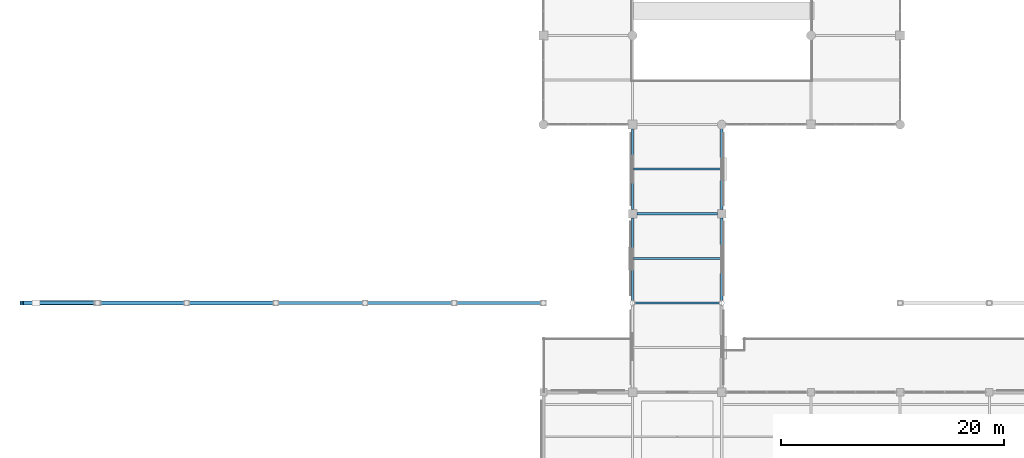
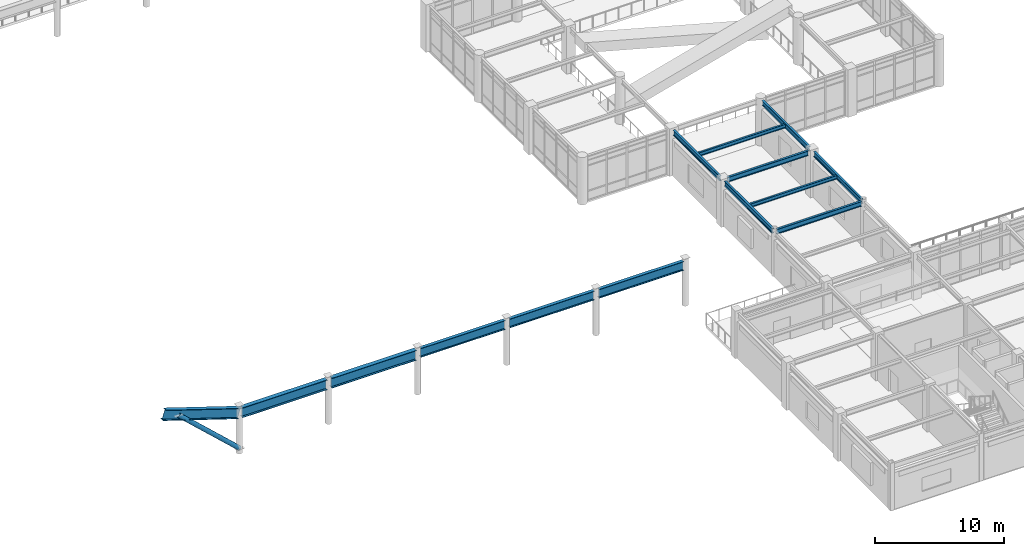
# One storey, part 17 of 78: 14 beams, 1 member.
"""IFC4 building model written with IfcOpenShell, lengths in metres."""

from ifc_helpers import new_model, si_unit, direction, frame, origin, origin_2d, place, context, subcontext, project, spatial, hollow_circle, i_section, extrude, material, material_profile, profile_set, type_object, element, save


model = new_model("IFC4")

# Units and contexts
model_context = context("Model", 3, precision=1e-05, world=origin(), true_north=direction((0.0, 1.0)))
body_context = subcontext(model_context, "Body", "Model", "MODEL_VIEW")
ifc_project = project(units=[si_unit("LENGTHUNIT", "METRE"), si_unit("AREAUNIT", "SQUARE_METRE"), si_unit("VOLUMEUNIT", "CUBIC_METRE"), si_unit("PLANEANGLEUNIT", "RADIAN"), si_unit("MASSUNIT", "GRAM", prefix="KILO")], contexts=[model_context])

# Site, building, storey
site_placement = place(None, origin())
site = spatial("IfcSite", under=ifc_project, at=site_placement, CompositionType="ELEMENT")
building_placement = place(site_placement, origin())
building = spatial("IfcBuilding", under=site, at=building_placement, Name="Solmirada Galleria", CompositionType="ELEMENT")
storey_placement = place(building_placement, frame((0.0, 0.0, 23.89990234375)))
storey = spatial("IfcBuildingStorey", under=building, at=storey_placement, Name="L05", CompositionType="ELEMENT", Elevation=23.89990234375)

# Beams
ifc_material_1 = material(Name="Steel S355 / ASTM A572 Grade 50", Category="steel")
ifc_material_profile_1 = material_profile(ifc_material_1, i_section(OverallWidth=0.3798828125, OverallDepth=0.949951171875, WebThickness=0.02001953125, FlangeThickness=0.035888671875, FilletRadius=0.01611328125, at=origin_2d()), Name="PG950X380")
ifc_profile_set_1 = profile_set([ifc_material_profile_1], Name="Steel S355 / ASTM A572 Grade 50")
beam_type_1 = type_object("IfcBeamType", Name="BM-CAN-SPINE", PredefinedType="BEAM", material=ifc_profile_set_1)
beam_1_placement = place(storey_placement, frame((33.199951171875, 32.0, 5.965087890625), z_axis=(0.951447166757, 0.0, -0.307812099941), x_axis=(0.0, 1.0, 0.0)))
element("IfcBeam", 1, at=beam_1_placement, inside=storey, type_object=beam_type_1, Name="Forecourt canopy cantilevered edge girder S", PredefinedType="BEAM", context=body_context, shape_type="SweptSolid", body=[
    extrude(i_section(OverallWidth=0.3798828125, OverallDepth=0.949951171875, WebThickness=0.02001953125, FlangeThickness=0.035888671875, FilletRadius=0.01611328125, at=origin_2d()), origin(), (0.0, 0.0, 1.0), 7.14697265625),
])
for number, where, z_axis, x_axis, name in (
    (2, (40.21337890625, 32.0, 3.76513671875), (1.0, 0.0, 0.0), (0.0, 1.0, 0.0), "Forecourt canopy back-span girder S X=40..48"),
    (3, (48.21337890625, 32.0, 3.76513671875), (1.0, 0.0, 0.0), (0.0, 1.0, 0.0), "Forecourt canopy back-span girder S X=48..56"),
):
    element("IfcBeam", number, at=place(storey_placement, frame(where, z_axis=z_axis, x_axis=x_axis)), inside=storey, type_object=beam_type_1, Name=name, PredefinedType="BEAM", context=body_context, shape_type="SweptSolid", body=[
        extrude(i_section(OverallWidth=0.3798828125, OverallDepth=0.949951171875, WebThickness=0.02001953125, FlangeThickness=0.035888671875, FilletRadius=0.01611328125, at=origin_2d()), origin(), (0.0, 0.0, 1.0), 7.5732421875),
    ])
ifc_material_2 = material(Name="Steel S355 / ASTM A992 Grade 50", Category="steel")
ifc_material_profile_2 = material_profile(ifc_material_2, i_section(OverallWidth=0.194091796875, OverallDepth=0.468994140625, WebThickness=0.0126953125, FlangeThickness=0.0205078125, FilletRadius=0.013916015625, at=origin_2d()), Name="W18X71")
ifc_profile_set_2 = profile_set([ifc_material_profile_2], Name="Steel S355 / ASTM A992 Grade 50")
beam_type_2 = type_object("IfcBeamType", Name="BM-GIRD-W18B", PredefinedType="BEAM", material=ifc_profile_set_2)
beam_2_placement = place(storey_placement, frame((88.19189453125, 32.0, 4.065673828125), z_axis=(1.0, 0.0, 0.0), x_axis=(0.0, 1.0, 0.0)))
element("IfcBeam", 4, at=beam_2_placement, inside=storey, type_object=beam_type_2, Name="Primary beam L06 X(88..96, 32)", PredefinedType="BEAM", context=body_context, shape_type="SweptSolid", body=[
    extrude(i_section(OverallWidth=0.194091796875, OverallDepth=0.468994140625, WebThickness=0.0126953125, FlangeThickness=0.0205078125, FilletRadius=0.013916015625, at=origin_2d()), origin(), (0.0, 0.0, 1.0), 7.6162109375),
])
ifc_material_profile_3 = material_profile(ifc_material_2, i_section(OverallWidth=0.193115234375, OverallDepth=0.466064453125, WebThickness=0.011474609375, FlangeThickness=0.01904296875, FilletRadius=0.013916015625, at=origin_2d()), Name="W18X65")
ifc_profile_set_3 = profile_set([ifc_material_profile_3], Name="Steel S355 / ASTM A992 Grade 50")
beam_type_3 = type_object("IfcBeamType", Name="BM-GIRD-W18C", PredefinedType="BEAM", material=ifc_profile_set_3)
beam_3_placement = place(storey_placement, frame((88.375, 40.0, 4.067138671875), z_axis=(1.0, 0.0, 0.0), x_axis=(0.0, 1.0, 0.0)))
element("IfcBeam", 5, at=beam_3_placement, inside=storey, type_object=beam_type_3, Name="Primary beam L06 X(88..96, 40)", PredefinedType="BEAM", context=body_context, shape_type="SweptSolid", body=[
    extrude(i_section(OverallWidth=0.193115234375, OverallDepth=0.466064453125, WebThickness=0.011474609375, FlangeThickness=0.01904296875, FilletRadius=0.013916015625, at=origin_2d()), origin(), (0.0, 0.0, 1.0), 7.25),
])
beam_4_placement = place(storey_placement, frame((88.0, 32.19189453125, 4.067138671875), z_axis=(0.0, 1.0, 0.0), x_axis=(-1.0, 0.0, 0.0)))
element("IfcBeam", 6, at=beam_4_placement, inside=storey, type_object=beam_type_3, Name="Primary girder L06 Y(88, 32..40)", PredefinedType="BEAM", context=body_context, shape_type="SweptSolid", body=[
    extrude(i_section(OverallWidth=0.193115234375, OverallDepth=0.466064453125, WebThickness=0.011474609375, FlangeThickness=0.01904296875, FilletRadius=0.013916015625, at=origin_2d()), origin(), (0.0, 0.0, 1.0), 7.43310546875),
])
beam_5_placement = place(storey_placement, frame((88.0, 40.375, 4.067138671875), z_axis=(0.0, 1.0, 0.0), x_axis=(-1.0, 0.0, 0.0)))
element("IfcBeam", 7, at=beam_5_placement, inside=storey, type_object=beam_type_3, Name="Primary girder L06 Y(88, 40..48)", PredefinedType="BEAM", context=body_context, shape_type="SweptSolid", body=[
    extrude(i_section(OverallWidth=0.193115234375, OverallDepth=0.466064453125, WebThickness=0.011474609375, FlangeThickness=0.01904296875, FilletRadius=0.013916015625, at=origin_2d()), origin(), (0.0, 0.0, 1.0), 7.22509765625),
])
beam_6_placement = place(storey_placement, frame((96.0, 32.19189453125, 4.067138671875), z_axis=(0.0, 1.0, 0.0), x_axis=(-1.0, 0.0, 0.0)))
element("IfcBeam", 8, at=beam_6_placement, inside=storey, type_object=beam_type_3, Name="Primary girder L06 Y(96, 32..40)", PredefinedType="BEAM", context=body_context, shape_type="SweptSolid", body=[
    extrude(i_section(OverallWidth=0.193115234375, OverallDepth=0.466064453125, WebThickness=0.011474609375, FlangeThickness=0.01904296875, FilletRadius=0.013916015625, at=origin_2d()), origin(), (0.0, 0.0, 1.0), 7.43310546875),
])
beam_7_placement = place(storey_placement, frame((96.0, 40.375, 4.067138671875), z_axis=(0.0, 1.0, 0.0), x_axis=(-1.0, 0.0, 0.0)))
element("IfcBeam", 9, at=beam_7_placement, inside=storey, type_object=beam_type_3, Name="Primary girder L06 Y(96, 40..48)", PredefinedType="BEAM", context=body_context, shape_type="SweptSolid", body=[
    extrude(i_section(OverallWidth=0.193115234375, OverallDepth=0.466064453125, WebThickness=0.011474609375, FlangeThickness=0.01904296875, FilletRadius=0.013916015625, at=origin_2d()), origin(), (0.0, 0.0, 1.0), 7.2890625),
])
ifc_material_profile_4 = material_profile(ifc_material_2, i_section(OverallWidth=0.1708984375, OverallDepth=0.35205078125, WebThickness=0.0068359375, FlangeThickness=0.009765625, FilletRadius=0.010986328125, at=origin_2d()), Name="W14X30")
ifc_profile_set_4 = profile_set([ifc_material_profile_4], Name="Steel S355 / ASTM A992 Grade 50")
beam_type_4 = type_object("IfcBeamType", Name="BM-JST-W14B", PredefinedType="JOIST", material=ifc_profile_set_4)
for number, where, z_axis, x_axis, name in (
    (10, (88.096435546875, 36.0, 4.1240234375), (1.0, 0.0, 0.0), (0.0, 1.0, 0.0), "Composite floor joist L06 (88..96, 36.0)"),
    (11, (88.096435546875, 44.0, 4.1240234375), (1.0, 0.0, 0.0), (0.0, 1.0, 0.0), "Composite floor joist L06 (88..96, 44.0)"),
):
    element("IfcBeam", number, at=place(storey_placement, frame(where, z_axis=z_axis, x_axis=x_axis)), inside=storey, type_object=beam_type_4, Name=name, PredefinedType="JOIST", context=body_context, shape_type="SweptSolid", body=[
        extrude(i_section(OverallWidth=0.1708984375, OverallDepth=0.35205078125, WebThickness=0.0068359375, FlangeThickness=0.009765625, FilletRadius=0.010986328125, at=origin_2d()), origin(), (0.0, 0.0, 1.0), 7.80712890625),
    ])
ifc_material_profile_5 = material_profile(ifc_material_2, i_section(OverallWidth=0.2919921875, OverallDepth=0.85888671875, WebThickness=0.01708984375, FlangeThickness=0.031005859375, FilletRadius=0.02001953125, at=origin_2d()), Name="W33X169")
ifc_profile_set_5 = profile_set([ifc_material_profile_5], Name="Steel S355 / ASTM A992 Grade 50")
beam_type_5 = type_object("IfcBeamType", Name="BM-VAULT-RING2", PredefinedType="BEAM", material=ifc_profile_set_5)
for number, where, z_axis, x_axis, name in (
    (12, (56.21337890625, 32.0, 3.810546875), (1.0, 0.0, 0.0), (0.0, 1.0, 0.0), "Barrel vault springing collector girder S X=56..64"),
    (13, (64.21337890625, 32.0, 3.810546875), (1.0, 0.0, 0.0), (0.0, 1.0, 0.0), "Barrel vault springing collector girder S X=64..72"),
    (14, (72.21337890625, 32.0, 3.810546875), (1.0, 0.0, 0.0), (0.0, 1.0, 0.0), "Barrel vault springing collector girder S X=72..80"),
):
    element("IfcBeam", number, at=place(storey_placement, frame(where, z_axis=z_axis, x_axis=x_axis)), inside=storey, type_object=beam_type_5, Name=name, PredefinedType="BEAM", context=body_context, shape_type="SweptSolid", body=[
        extrude(i_section(OverallWidth=0.2919921875, OverallDepth=0.85888671875, WebThickness=0.01708984375, FlangeThickness=0.031005859375, FilletRadius=0.02001953125, at=origin_2d()), origin(), (0.0, 0.0, 1.0), 7.5732421875),
    ])

# Member
ifc_material_3 = material(Name="Steel S355 / ASTM A500 Grade C", Category="steel")
ifc_material_profile_6 = material_profile(ifc_material_3, hollow_circle(Radius=0.202880859375, WallThickness=0.01171875, at=origin_2d()), Name="HSS16.000X0.500")
ifc_profile_set_6 = profile_set([ifc_material_profile_6], Name="Steel S355 / ASTM A500 Grade C")
member_type = type_object("IfcMemberType", Name="MEM-CANOPY-STRUT", PredefinedType="BRACE", material=ifc_profile_set_6)
member_placement = place(storey_placement, frame((40.0, 32.0, 0.400146484375), z_axis=(-0.734528376103, 0.0, 0.678577972454), x_axis=(0.0, -1.0, 0.0)))
element("IfcMember", 15, at=member_placement, inside=storey, type_object=member_type, Name="Forecourt canopy inclined strut S", PredefinedType="BRACE", context=body_context, shape_type="SweptSolid", body=[
    extrude(hollow_circle(Radius=0.202880859375, WallThickness=0.01171875, at=origin_2d()), origin(), (0.0, 0.0, 1.0), 7.48779296875),
])

save(model, "model.ifc")
